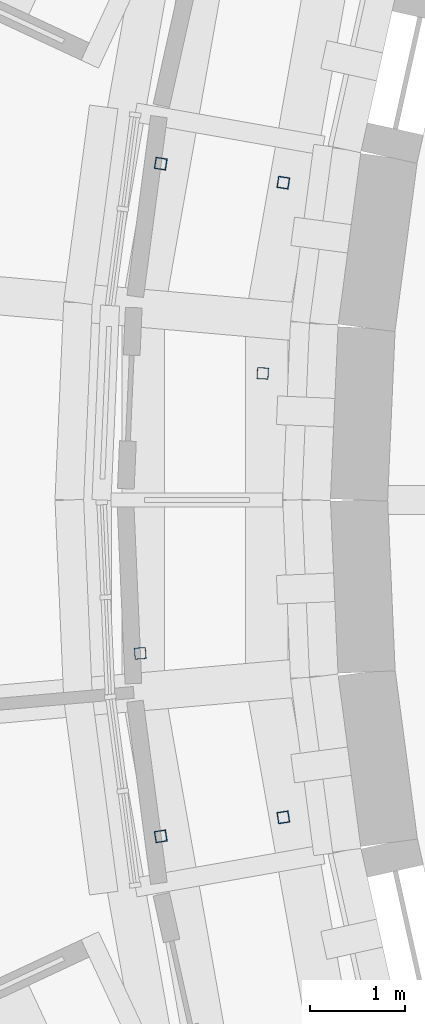
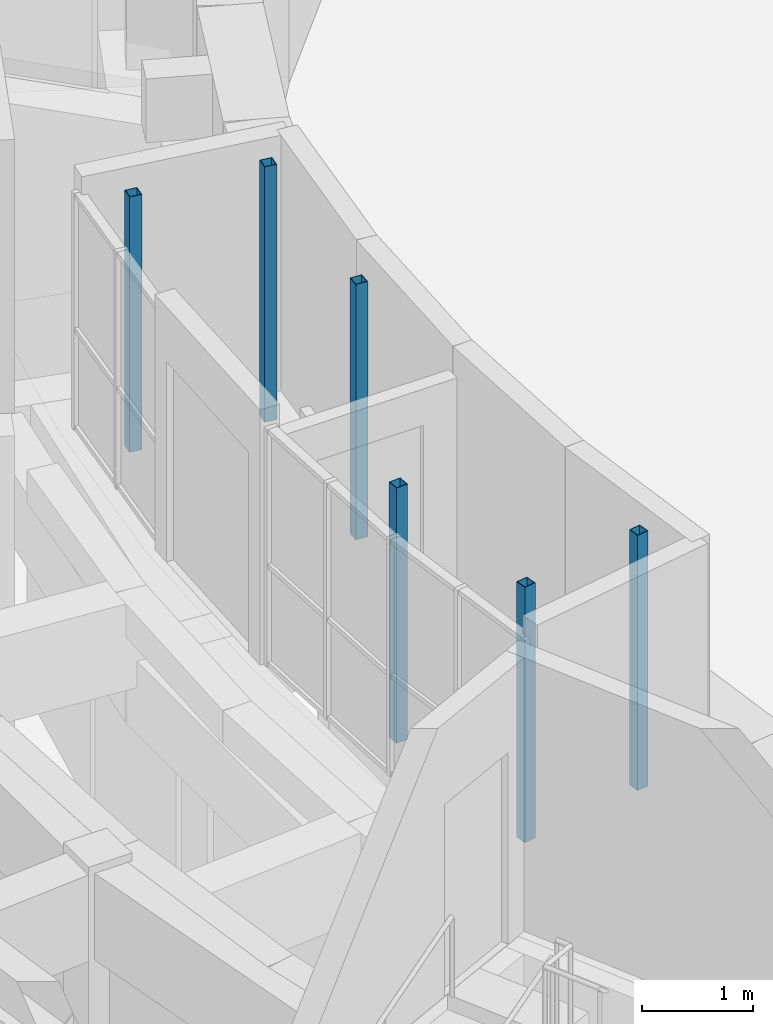
# One storey, part 2 of 66: 6 columns.
"""IFC4 building model written with IfcOpenShell, lengths in metres."""

from ifc_helpers import new_model, si_unit, direction, frame, origin, origin_2d, place, context, subcontext, project, spatial, hollow_rectangle, extrude, material, material_profile, profile_set, type_object, element, save


model = new_model("IFC4")

# Units and contexts
model_context = context("Model", 3, precision=1e-05, world=origin(), true_north=direction((0.0, 1.0)))
body_context = subcontext(model_context, "Body", "Model", "MODEL_VIEW")
ifc_project = project(units=[si_unit("LENGTHUNIT", "METRE"), si_unit("AREAUNIT", "SQUARE_METRE"), si_unit("VOLUMEUNIT", "CUBIC_METRE"), si_unit("PLANEANGLEUNIT", "RADIAN"), si_unit("MASSUNIT", "GRAM", prefix="KILO")], contexts=[model_context])

# Site, building, storey
site_placement = place(None, origin())
site = spatial("IfcSite", under=ifc_project, at=site_placement, CompositionType="ELEMENT")
building_placement = place(site_placement, origin())
building = spatial("IfcBuilding", under=site, at=building_placement, Name="Volute Hill Aquarium", CompositionType="ELEMENT")
storey_placement = place(building_placement, frame((0.0, 0.0, 4.60009765625)))
storey = spatial("IfcBuildingStorey", under=building, at=storey_placement, Name="L02", CompositionType="ELEMENT", Elevation=4.60009765625)

# Columns
ifc_material = material(Name="Steel S355", Category="steel")
ifc_material_profile = material_profile(ifc_material, hollow_rectangle(XDim=0.1201171875, YDim=0.1201171875, WallThickness=0.006103515625, at=origin_2d()), Name="SHS 120x120x6")
ifc_profile_set = profile_set([ifc_material_profile], Name="Steel S355")
column_type = type_object("IfcColumnType", Name="Pavilion post SHS 120x120x6 S355", PredefinedType="COLUMN", material=ifc_profile_set)
for number, where, z_axis, x_axis, name in (
    (1, (-21.493896484375, 3.327392578125, 4.31982421875), (0.0, 0.0, 1.0), (-0.988228381447, 0.152985836284, 0.0), "Pavilion post GPP 1"),
    (2, (-21.70947265625, 1.327880859375, 4.31982421875), (0.0, 0.0, 1.0), (-0.998134798422, 0.061048539535, 0.0), "Pavilion post GPP 2"),
    (3, (-21.493896484375, -3.327392578125, 4.31982421875), (0.0, 0.0, 1.0), (-0.988228381447, -0.152985836284, 0.0), "Pavilion post GPP 3"),
    (4, (-22.77880859375, 3.5263671875, 4.31982421875), (0.0, 0.0, 1.0), (-0.988228381447, 0.152985836284, 0.0), "Pavilion post GPP 4"),
    (5, (-22.993896484375, -1.60791015625, 4.31982421875), (0.0, 0.0, 1.0), (-0.99756405026, -0.069756473744, 0.0), "Pavilion post GPP 5"),
    (6, (-22.77880859375, -3.5263671875, 4.31982421875), (0.0, 0.0, 1.0), (-0.988228381447, -0.152985836284, 0.0), "Pavilion post GPP 6"),
):
    element("IfcColumn", number, at=place(storey_placement, frame(where, z_axis=z_axis, x_axis=x_axis)), inside=storey, type_object=column_type, Name=name, PredefinedType="COLUMN", context=body_context, shape_type="SweptSolid", body=[
        extrude(hollow_rectangle(XDim=0.1201171875, YDim=0.1201171875, WallThickness=0.006103515625, at=origin_2d()), origin(), (0.0, 0.0, 1.0), 2.800048828125),
    ])

save(model, "model.ifc")
